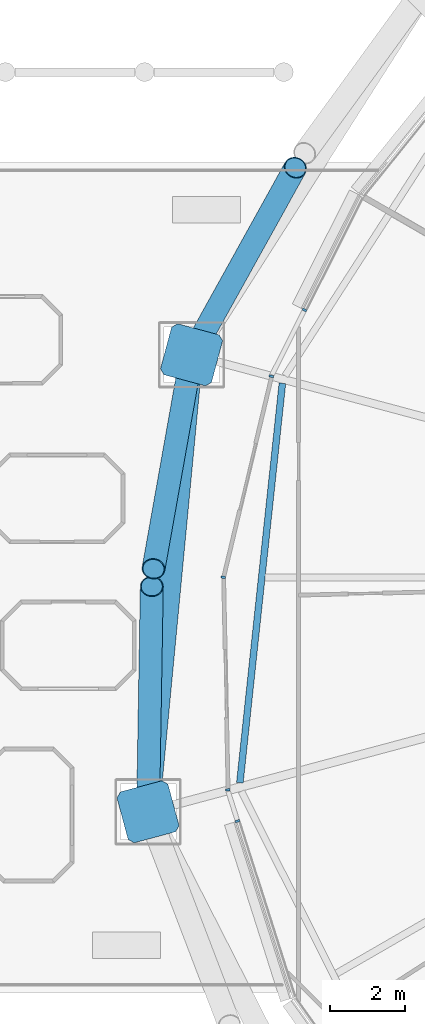
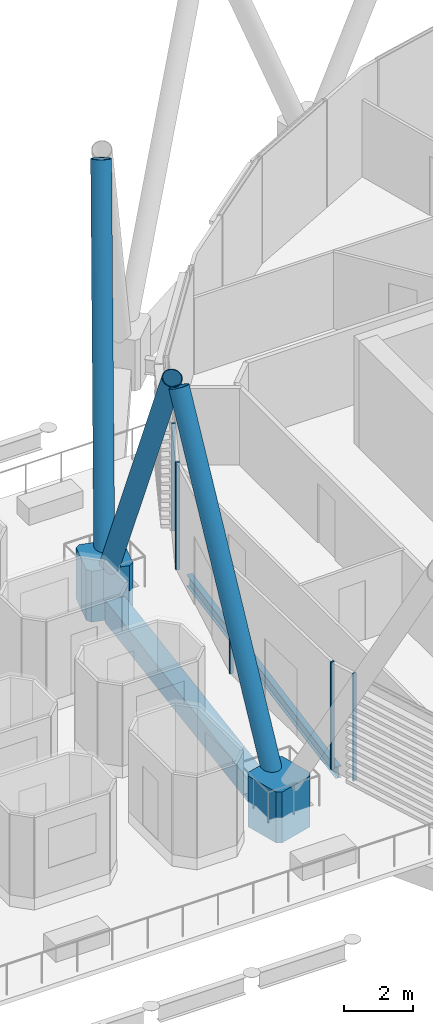
# One storey, part 9 of 38: 10 members, 2 beams, 1 element without a shape of its own.
"""IFC4 building model written with IfcOpenShell, lengths in metres."""

from ifc_helpers import new_model, si_unit, direction, frame, origin, origin_2d, place, context, subcontext, project, spatial, polyline, rectangle, hollow_rectangle, hollow_circle, i_section, outline, extrude, material, material_profile, profile_set, type_object, element, aggregate, save


model = new_model("IFC4")

# Units and contexts
model_context = context("Model", 3, precision=1e-05, world=origin(), true_north=direction((0.0, 1.0)))
body_context = subcontext(model_context, "Body", "Model", "MODEL_VIEW")
ifc_project = project(units=[si_unit("LENGTHUNIT", "METRE"), si_unit("AREAUNIT", "SQUARE_METRE"), si_unit("VOLUMEUNIT", "CUBIC_METRE"), si_unit("PLANEANGLEUNIT", "RADIAN"), si_unit("MASSUNIT", "GRAM", prefix="KILO")], contexts=[model_context])

# Site, building, storey
site_placement = place(None, origin())
site = spatial("IfcSite", under=ifc_project, at=site_placement, CompositionType="ELEMENT")
building_placement = place(site_placement, origin())
building = spatial("IfcBuilding", under=site, at=building_placement, Name="Rimbun Link Towers", CompositionType="ELEMENT")
storey_placement = place(building_placement, frame((0.0, 0.0, 158.89990234375)))
storey = spatial("IfcBuildingStorey", under=building, at=storey_placement, Name="L38", CompositionType="ELEMENT", Elevation=158.89990234375)

# Curtain wall, members
ifc_material_1 = material(Name="Aluminium 6063-T6 and low-iron glass", Category="aluminium")
curtain_wall_type = type_object("IfcCurtainWallType", Name="CW1-Z3 unitised vision wall (zone 3)", PredefinedType="NOTDEFINED", material=ifc_material_1)
curtain_wall_placement = place(storey_placement, origin())
curtain_wall = element("IfcCurtainWall", 1, at=curtain_wall_placement, inside=storey, type_object=curtain_wall_type, Name="CW1 L38 T2", PredefinedType="NOTDEFINED")
ifc_material_2 = material(Name="Aluminium 6063-T6", Category="aluminium")
ifc_material_profile_1 = material_profile(ifc_material_2, rectangle(XDim=0.1201171875, YDim=0.06005859375, at=origin_2d()), Name="MULLION 60X120")
ifc_profile_set_1 = profile_set([ifc_material_profile_1], Name="Aluminium 6063-T6")
member_type_1 = type_object("IfcMemberType", Name="CW1 mullion 60X120", PredefinedType="MULLION", material=ifc_profile_set_1)
member_1_placement = place(storey_placement, frame((12.7119140625, 7.0908203125, 0.0), z_axis=(0.0, 0.0, 1.0), x_axis=(-0.893649163744, 0.448766277854, 0.0)))
member_1 = element("IfcMember", 2, at=member_1_placement, type_object=member_type_1, Name="CW1 mullion", PredefinedType="MULLION", context=body_context, shape_type="SweptSolid", body=[
    extrude(rectangle(XDim=0.1201171875, YDim=0.06005859375, at=origin_2d()), origin(), (0.0, 0.0, 1.0), 3.800048828125),
])
member_2_placement = place(storey_placement, frame((10.55810546875, 0.00634765625, 0.0), z_axis=(0.0, 0.0, 1.0), x_axis=(-0.994296940648, 0.106647052549, 0.0)))
member_2 = element("IfcMember", 3, at=member_2_placement, type_object=member_type_1, Name="CW1 mullion", PredefinedType="MULLION", context=body_context, shape_type="SweptSolid", body=[
    extrude(rectangle(XDim=0.1201171875, YDim=0.06005859375, at=origin_2d()), origin(), (0.0, 0.0, 1.0), 3.800048828125),
])
member_3_placement = place(storey_placement, frame((11.83203125, 5.335205078125, 0.0), z_axis=(0.0, 0.0, 1.0), x_axis=(-0.972569993504, 0.232610420521, 0.0)))
member_3 = element("IfcMember", 4, at=member_3_placement, type_object=member_type_1, Name="CW1 mullion", PredefinedType="MULLION", context=body_context, shape_type="SweptSolid", body=[
    extrude(rectangle(XDim=0.1201171875, YDim=0.06005859375, at=origin_2d()), origin(), (0.0, 0.0, 1.0), 3.800048828125),
])
member_4_placement = place(storey_placement, frame((10.676513671875, -5.6318359375, 0.0), z_axis=(0.0, 0.0, 1.0), x_axis=(-0.999778238808, -0.021058803518, 0.0)))
member_4 = element("IfcMember", 5, at=member_4_placement, type_object=member_type_1, Name="CW1 mullion", PredefinedType="MULLION", context=body_context, shape_type="SweptSolid", body=[
    extrude(rectangle(XDim=0.1201171875, YDim=0.06005859375, at=origin_2d()), origin(), (0.0, 0.0, 1.0), 3.800048828125),
])
member_5_placement = place(storey_placement, frame((10.936767578125, -6.458740234375, 0.0), z_axis=(0.0, 0.0, 1.0), x_axis=(-0.952964505749, -0.303081920912, 0.0)))
member_5 = element("IfcMember", 6, at=member_5_placement, type_object=member_type_1, Name="CW1 mullion", PredefinedType="MULLION", context=body_context, shape_type="SweptSolid", body=[
    extrude(rectangle(XDim=0.1201171875, YDim=0.06005859375, at=origin_2d()), origin(), (0.0, 0.0, 1.0), 3.800048828125),
])
aggregate(curtain_wall, [member_1, member_2, member_3, member_4, member_5])

# Members
ifc_material_3 = material(Name="Steel S355J2H", Category="steel")
ifc_material_profile_2 = material_profile(ifc_material_3, hollow_circle(Radius=0.3046875, WallThickness=0.02490234375, at=origin_2d()), Name="Diagrid diagonal CHS 610x25")
ifc_profile_set_2 = profile_set([ifc_material_profile_2], Name="Steel S355J2H")
member_type_2 = type_object("IfcMemberType", Name="Diagrid diagonal CHS 610x25", PredefinedType="BRACE", material=ifc_profile_set_2)
member_6_placement = place(storey_placement, frame((9.82861328125, 6.104736328125, 0.444091796875), z_axis=(0.2230983867, 0.402187533502, 0.887959626192), x_axis=(-0.874470128647, 0.48507936887, 0.0)))
element("IfcMember", 7, at=member_6_placement, inside=storey, type_object=member_type_2, Name="Diagrid diagonal T2 L38-L41 08a", PredefinedType="BRACE", context=body_context, shape_type="SweptSolid", body=[
    extrude(hollow_circle(Radius=0.3046875, WallThickness=0.02490234375, at=origin_2d()), origin(), (0.0, 0.0, 1.0), 11.83837890625),
])
member_7_placement = place(storey_placement, frame((9.67626953125, 5.674560546875, 0.442626953125), z_axis=(-0.081518864675, -0.458330415356, 0.88503553887), x_axis=(0.984548473772, -0.175112257687, 0.0)))
element("IfcMember", 8, at=member_7_placement, inside=storey, type_object=member_type_2, Name="Diagrid diagonal T2 L38-L41 08b", PredefinedType="BRACE", context=body_context, shape_type="SweptSolid", body=[
    extrude(hollow_circle(Radius=0.3046875, WallThickness=0.02490234375, at=origin_2d()), origin(), (0.0, 0.0, 1.0), 11.880859375),
])
member_8_placement = place(storey_placement, frame((8.567138671875, -5.9736328125, 0.439208984375), z_axis=(0.007986245612, 0.478522798331, 0.878038809711), x_axis=(-0.999860761496, 0.016687049494, 0.0)))
element("IfcMember", 9, at=member_8_placement, inside=storey, type_object=member_type_2, Name="Diagrid diagonal T2 L38-L41 10a", PredefinedType="BRACE", context=body_context, shape_type="SweptSolid", body=[
    extrude(hollow_circle(Radius=0.3046875, WallThickness=0.02490234375, at=origin_2d()), origin(), (0.0, 0.0, 1.0), 11.9833984375),
])
ifc_material_4 = material(Name="Cast steel G20Mn5+QT, Rp0.2 300 MPa", Category="steel")
ifc_material_profile_3 = material_profile(ifc_material_4, outline(polyline([(0.699951171875, -0.570068359375), (0.699951171875, 0.570068359375), (0.570068359375, 0.699951171875), (-0.570068359375, 0.699951171875), (-0.699951171875, 0.570068359375), (-0.699951171875, -0.570068359375), (-0.570068359375, -0.699951171875), (0.570068359375, -0.699951171875), (0.699951171875, -0.570068359375)])), Name="NODE 1400x1400")
ifc_profile_set_3 = profile_set([ifc_material_profile_3], Name="Cast steel G20Mn5+QT, Rp0.2 300 MPa")
member_type_3 = type_object("IfcMemberType", Name="Diagrid node cast 1400", PredefinedType="USERDEFINED", material=ifc_profile_set_3)
for number, where, z_axis, x_axis, name in (
    (10, (9.717041015625, 5.90380859375, -0.89990234375), (0.0, 0.0, 1.0), (-0.965925826289, 0.258819045103, 0.0), "Diagrid node L38 08"),
    (11, (8.56298828125, -6.212890625, -0.89990234375), (0.0, 0.0, 1.0), (-0.965925826289, -0.258819045103, 0.0), "Diagrid node L38 10"),
):
    element("IfcMember", number, at=place(storey_placement, frame(where, z_axis=z_axis, x_axis=x_axis)), inside=storey, type_object=member_type_3, Name=name, ObjectType="Diagrid node", PredefinedType="USERDEFINED", context=body_context, shape_type="SweptSolid", body=[
        extrude(outline(polyline([(0.699951171875, -0.570068359375), (0.699951171875, 0.570068359375), (0.570068359375, 0.699951171875), (-0.570068359375, 0.699951171875), (-0.699951171875, 0.570068359375), (-0.699951171875, -0.570068359375), (-0.570068359375, -0.699951171875), (0.570068359375, -0.699951171875), (0.699951171875, -0.570068359375)])), origin(), (0.0, 0.0, 1.0), 1.800048828125),
    ])

# Beams
ifc_material_5 = material(Name="Steel S355J2", Category="steel")
ifc_material_profile_4 = material_profile(ifc_material_5, hollow_rectangle(XDim=0.60009765625, YDim=0.800048828125, WallThickness=0.0400390625, at=origin_2d()), Name="Exoskeleton ring girder BOX 600x800x40")
ifc_profile_set_4 = profile_set([ifc_material_profile_4], Name="Steel S355J2")
beam_type_1 = type_object("IfcBeamType", Name="Exoskeleton ring girder BOX 600x800x40", PredefinedType="BEAM", material=ifc_profile_set_4)
beam_1_placement = place(storey_placement, frame((9.650634765625, 5.206787109375, -0.559814453125), z_axis=(-0.09481016224, -0.995495370726, 0.0), x_axis=(0.995495370726, -0.09481016224, 0.0)))
element("IfcBeam", 12, at=beam_1_placement, inside=storey, type_object=beam_type_1, Name="Exoskeleton ring girder L38 04", PredefinedType="BEAM", context=body_context, shape_type="SweptSolid", body=[
    extrude(hollow_rectangle(XDim=0.60009765625, YDim=0.800048828125, WallThickness=0.0400390625, at=origin_2d()), origin(), (0.0, 0.0, 1.0), 10.771484375),
])
ifc_material_6 = material(Name="Steel S355J2", Category="steel")
ifc_material_profile_5 = material_profile(ifc_material_6, i_section(OverallWidth=0.177978515625, OverallDepth=0.406494140625, WebThickness=0.0078125, FlangeThickness=0.0126953125, at=origin_2d()), Name="UB 406x178x60")
ifc_profile_set_5 = profile_set([ifc_material_profile_5], Name="Steel S355J2")
beam_type_2 = type_object("IfcBeamType", Name="UB 406x178x60", PredefinedType="BEAM", material=ifc_profile_set_5)
beam_2_placement = place(storey_placement, frame((12.125732421875, 5.14892578125, -0.35302734375), z_axis=(-0.105881542849, -0.994378750217, 0.0), x_axis=(0.994378750217, -0.105881542849, 0.0)))
element("IfcBeam", 13, at=beam_2_placement, inside=storey, type_object=beam_type_2, Name="Edge beam T2 L38 08-10", PredefinedType="BEAM", context=body_context, shape_type="SweptSolid", body=[
    extrude(i_section(OverallWidth=0.177978515625, OverallDepth=0.406494140625, WebThickness=0.0078125, FlangeThickness=0.0126953125, at=origin_2d()), origin(), (0.0, 0.0, 1.0), 10.650390625),
])

save(model, "model.ifc")
